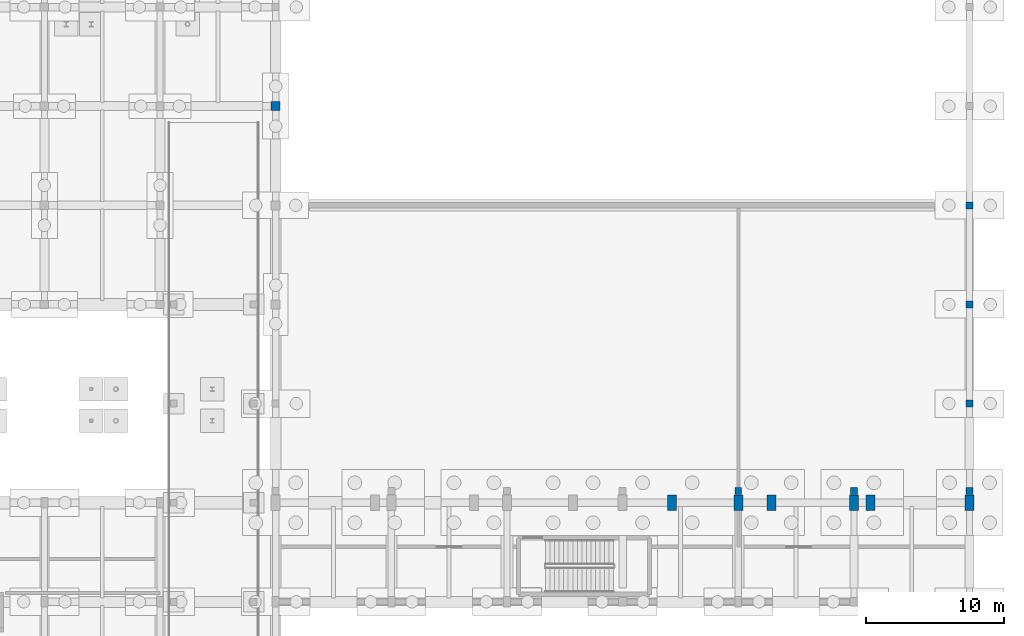
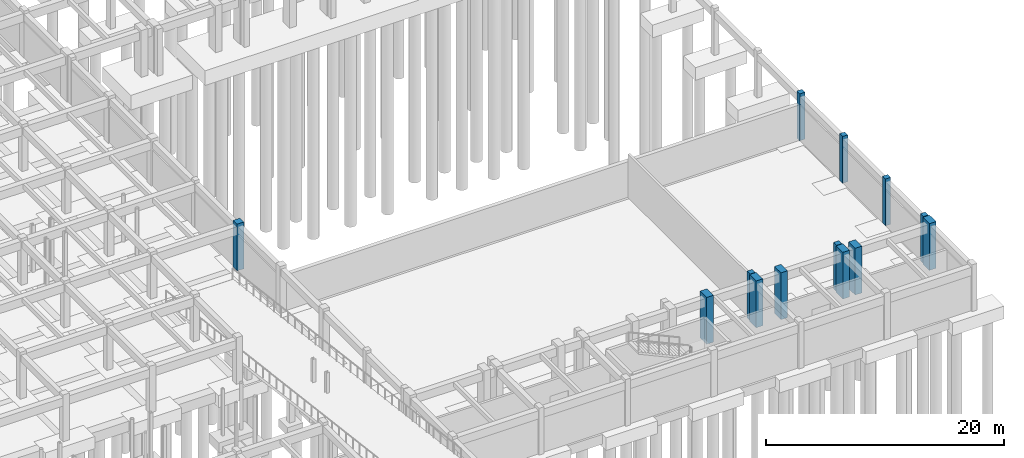
# One storey, part 44 of 80: 13 columns.
"""IFC4 building model written with IfcOpenShell, lengths in metres."""

from ifc_helpers import new_model, si_unit, direction, frame, origin, origin_2d, place, context, subcontext, project, spatial, rectangle, extrude, material, material_profile, profile_set, type_object, element, save


model = new_model("IFC4")

# Units and contexts
model_context = context("Model", 3, precision=1e-05, world=origin(), true_north=direction((0.0, 1.0)))
body_context = subcontext(model_context, "Body", "Model", "MODEL_VIEW")
ifc_project = project(units=[si_unit("LENGTHUNIT", "METRE"), si_unit("AREAUNIT", "SQUARE_METRE"), si_unit("VOLUMEUNIT", "CUBIC_METRE"), si_unit("PLANEANGLEUNIT", "RADIAN"), si_unit("MASSUNIT", "GRAM", prefix="KILO")], contexts=[model_context])

# Site, building, storey
site_placement = place(None, origin())
site = spatial("IfcSite", under=ifc_project, at=site_placement, CompositionType="ELEMENT")
building_placement = place(site_placement, origin())
building = spatial("IfcBuilding", under=site, at=building_placement, Name="Malvenik Polytechnic", CompositionType="ELEMENT")
storey_placement = place(building_placement, frame((0.0, 0.0, -4.800048828125)))
storey = spatial("IfcBuildingStorey", under=building, at=storey_placement, Name="B1", CompositionType="ELEMENT", Elevation=-4.800048828125)

# Columns
ifc_material = material(Name="Concrete C35/45", Category="concrete")
ifc_material_profile_1 = material_profile(ifc_material, rectangle(XDim=0.64990234375, YDim=0.64990234375, at=origin_2d()), Name="RC COL 650x650")
ifc_profile_set_1 = profile_set([ifc_material_profile_1], Name="Concrete C35/45")
column_type_1 = type_object("IfcColumnType", Name="STR-COL-C-05", PredefinedType="COLUMN", material=ifc_profile_set_1)
column_placement = place(storey_placement, frame((134.39990234375, 64.800048828125, 0.0), z_axis=(0.0, 0.0, 1.0), x_axis=(1.0, 0.0, 0.0)))
element("IfcColumn", 1, at=column_placement, inside=storey, type_object=column_type_1, Name="Column C-05 B1 (134.4,64.8)", PredefinedType="COLUMN", context=body_context, shape_type="SweptSolid", body=[
    extrude(rectangle(XDim=0.64990234375, YDim=0.64990234375, at=origin_2d()), origin(), (0.0, 0.0, 1.0), 4.800048828125),
])
ifc_material_profile_2 = material_profile(ifc_material, rectangle(XDim=0.5, YDim=0.5, at=origin_2d()), Name="RC COL 500x500")
ifc_profile_set_2 = profile_set([ifc_material_profile_2], Name="Concrete C35/45")
column_type_2 = type_object("IfcColumnType", Name="STR-COL-C-08", PredefinedType="COLUMN", material=ifc_profile_set_2)
for number, where, z_axis, x_axis, name in (
    (2, (184.800048828125, 43.199951171875, 0.0), (0.0, 0.0, 1.0), (1.0, 0.0, 0.0), "Column C-08 B1 (184.8,43.2)"),
    (3, (184.800048828125, 50.39990234375, 0.0), (0.0, 0.0, 1.0), (1.0, 0.0, 0.0), "Column C-08 B1 (184.8,50.4)"),
    (4, (184.800048828125, 57.60009765625, 0.0), (0.0, 0.0, 1.0), (1.0, 0.0, 0.0), "Column C-08 B1 (184.8,57.6)"),
    (5, (168.0, 36.85009765625, 0.0), (0.0, 0.0, 1.0), (1.0, 0.0, 0.0), "Crane Pier Column B1 #1.5"),
    (6, (176.39990234375, 36.85009765625, 0.0), (0.0, 0.0, 1.0), (1.0, 0.0, 0.0), "Crane Pier Column B1 #1.6"),
    (7, (184.800048828125, 36.85009765625, 0.0), (0.0, 0.0, 1.0), (1.0, 0.0, 0.0), "Crane Pier Column B1 #1.7"),
):
    element("IfcColumn", number, at=place(storey_placement, frame(where, z_axis=z_axis, x_axis=x_axis)), inside=storey, type_object=column_type_2, Name=name, PredefinedType="COLUMN", context=body_context, shape_type="SweptSolid", body=[
        extrude(rectangle(XDim=0.5, YDim=0.5, at=origin_2d()), origin(), (0.0, 0.0, 1.0), 4.800048828125),
    ])
ifc_material_profile_3 = material_profile(ifc_material, rectangle(XDim=0.64990234375, YDim=1.10009765625, at=origin_2d()), Name="RC COL 1100x650")
ifc_profile_set_3 = profile_set([ifc_material_profile_3], Name="Concrete C35/45")
column_type_3 = type_object("IfcColumnType", Name="STR-COL-C-12", PredefinedType="COLUMN", material=ifc_profile_set_3)
for number, where, z_axis, x_axis, name in (
    (8, (163.199951171875, 36.0, 0.0), (0.0, 0.0, 1.0), (1.0, 0.0, 0.0), "Column C-12 B1 (163.2,36.0)"),
    (9, (168.0, 36.0, 0.0), (0.0, 0.0, 1.0), (1.0, 0.0, 0.0), "Column C-12 B1 (168.0,36.0)"),
    (10, (170.39990234375, 36.0, 0.0), (0.0, 0.0, 1.0), (1.0, 0.0, 0.0), "Column C-12 B1 (170.4,36.0)"),
    (11, (176.39990234375, 36.0, 0.0), (0.0, 0.0, 1.0), (1.0, 0.0, 0.0), "Column C-12 B1 (176.4,36.0)"),
    (12, (177.60009765625, 36.0, 0.0), (0.0, 0.0, 1.0), (1.0, 0.0, 0.0), "Column C-12 B1 (177.6,36.0)"),
    (13, (184.800048828125, 36.0, 0.0), (0.0, 0.0, 1.0), (1.0, 0.0, 0.0), "Column C-12 B1 (184.8,36.0)"),
):
    element("IfcColumn", number, at=place(storey_placement, frame(where, z_axis=z_axis, x_axis=x_axis)), inside=storey, type_object=column_type_3, Name=name, PredefinedType="COLUMN", context=body_context, shape_type="SweptSolid", body=[
        extrude(rectangle(XDim=0.64990234375, YDim=1.10009765625, at=origin_2d()), origin(), (0.0, 0.0, 1.0), 4.800048828125),
    ])

save(model, "model.ifc")
